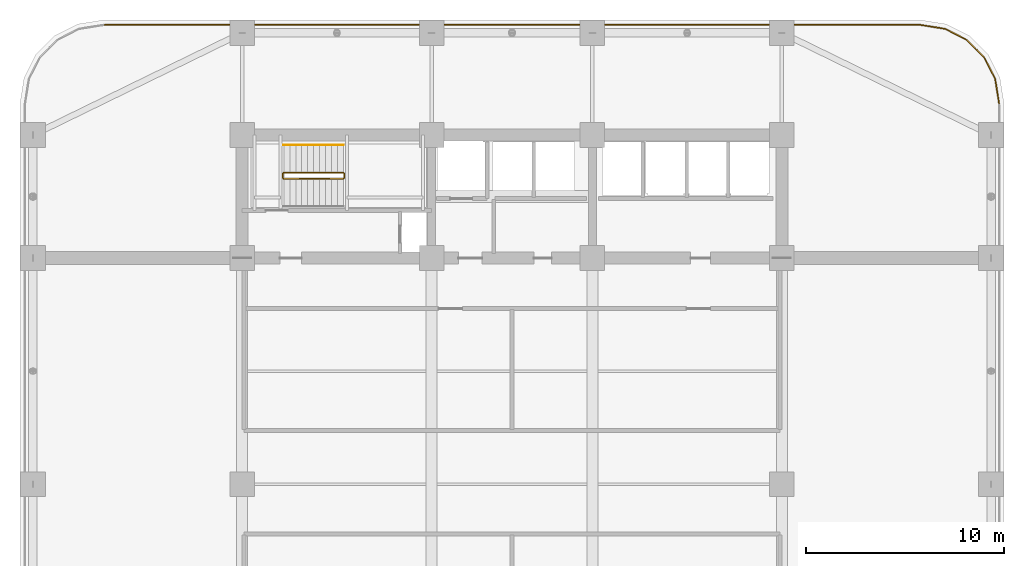
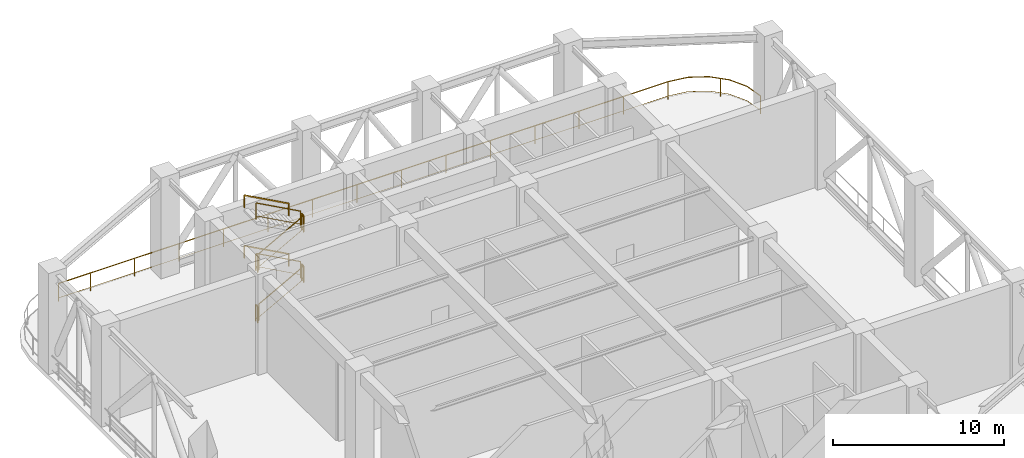
# One storey, part 20 of 20: 11 railings.
"""IFC4 building model written with IfcOpenShell, lengths in metres."""

import ifcopenshell
import ifcopenshell.guid

model = None  # the IFC model being written
_history = None  # IfcOwnerHistory: only IFC2X3 demands one
_inside = {}  # id of a spatial element -> (the spatial element, [elements in it])
_under = {}  # id of a project, library or spatial element -> (it, [spatial elements below it])
_declared = {}  # id of a project -> (the project, [libraries it declares])
_typed = {}  # id of a type object -> (the type object, [elements of that type])
_made_of = {}  # id of a material, layer set ... -> (it, [elements and type objects made of it])


def new_model(schema):
    """Start an empty IFC model of exactly this schema.

    Asked for "IFC4X3", IfcOpenShell would pick the latest addendum, in which some entities
    have other attributes; the version numbers below select the first issue.
    IFC2X3 requires an IfcOwnerHistory on every rooted entity: one is made here for all.
    """
    global model, _history
    if schema == "IFC4X3":
        model = ifcopenshell.file(schema_version=(4, 3, 0, 0))
    else:
        model = ifcopenshell.file(schema=schema)
    _inside.clear()
    _under.clear()
    _declared.clear()
    _typed.clear()
    _made_of.clear()
    _history = None
    if model.schema == "IFC2X3":
        org = make("IfcOrganization", Name="unknown")
        user = make(
            "IfcPersonAndOrganization",
            ThePerson=make("IfcPerson", FamilyName="unknown"),
            TheOrganization=org,
        )
        app = make(
            "IfcApplication",
            ApplicationDeveloper=org,
            Version="unknown",
            ApplicationFullName="unknown",
            ApplicationIdentifier="unknown",
        )
        _history = make(
            "IfcOwnerHistory",
            OwningUser=user,
            OwningApplication=app,
            ChangeAction="ADDED",
            CreationDate=0,
        )
    return model


def make(cls, **values):
    """One entity of the class cls with the attributes given. An attribute that is None is left unset."""
    return model.create_entity(
        cls, **{name: value for name, value in values.items() if value is not None}
    )


def rooted(cls, **values):
    """An entity with a GlobalId (a new one), such as an element, a storey or a relation."""
    return make(cls, GlobalId=ifcopenshell.guid.new(), OwnerHistory=_history, **values)


def si_unit(unit_type, name, prefix=None):
    """IfcSIUnit, for example si_unit("LENGTHUNIT", "METRE", prefix="MILLI")."""
    return make("IfcSIUnit", UnitType=unit_type, Prefix=prefix, Name=name)


def assignment(units):
    """IfcUnitAssignment: the units of a project."""
    return None if units is None else make("IfcUnitAssignment", Units=units)


def point(xyz):
    """IfcCartesianPoint."""
    return None if xyz is None else make("IfcCartesianPoint", Coordinates=xyz)


def direction(xyz):
    """IfcDirection."""
    return None if xyz is None else make("IfcDirection", DirectionRatios=xyz)


def frame(location, z_axis=None, x_axis=None):
    """IfcAxis2Placement3D, a coordinate frame: its origin and axes. An axis left out is left unset."""
    return make(
        "IfcAxis2Placement3D",
        Location=point(location),
        Axis=direction(z_axis),
        RefDirection=direction(x_axis),
    )


def frame_2d(location, x_axis=None):
    """IfcAxis2Placement2D, a coordinate frame in the plane: its origin and x axis."""
    return make(
        "IfcAxis2Placement2D", Location=point(location), RefDirection=direction(x_axis)
    )


def origin():
    """The frame at (0, 0, 0) with its axes left unset."""
    return frame((0.0, 0.0, 0.0))


def origin_2d():
    """The frame at (0, 0) in the plane with its x axis left unset."""
    return frame_2d((0.0, 0.0))


def place(relative_to, where):
    """IfcLocalPlacement: puts the frame where relative to a parent placement (None: the world)."""
    return make(
        "IfcLocalPlacement", PlacementRelTo=relative_to, RelativePlacement=where
    )


def context(
    kind, dimensions, precision=None, world=None, true_north=None, identifier=None
):
    """IfcGeometricRepresentationContext, for example the 3D "Model" context."""
    return make(
        "IfcGeometricRepresentationContext",
        ContextIdentifier=identifier,
        ContextType=kind,
        CoordinateSpaceDimension=dimensions,
        Precision=precision,
        WorldCoordinateSystem=world,
        TrueNorth=true_north,
    )


def subcontext(parent, identifier, kind, view, scale=None):
    """IfcGeometricRepresentationSubContext, for example "Body" below "Model"."""
    return make(
        "IfcGeometricRepresentationSubContext",
        ContextIdentifier=identifier,
        ContextType=kind,
        ParentContext=parent,
        TargetScale=scale,
        TargetView=view,
    )


def project(units=None, contexts=None):
    """IfcProject with its units and contexts."""
    return rooted(
        "IfcProject",
        Name="project",
        RepresentationContexts=contexts,
        UnitsInContext=assignment(units),
    )


def spatial(cls, under=None, at=None, **own):
    """A site, building, storey or space (cls), placed at a placement, below another one or the project."""
    s = rooted(cls, ObjectPlacement=at, **own)
    if under is not None:
        _under.setdefault(under.id(), (under, []))[1].append(s)
    return s


def profile(cls, at=None, kind="AREA", **sizes):
    """A parametric profile (cls). Its sizes go by their IFC names, for example OverallWidth=200.0."""
    return make(cls, ProfileType=kind, Position=at, **sizes)


def rectangle(**sizes):
    """IfcRectangleProfileDef."""
    return profile("IfcRectangleProfileDef", **sizes)


def extrude(swept, where, along, depth):
    """IfcExtrudedAreaSolid: the profile swept, set in the frame where, extruded along a direction by depth."""
    return make(
        "IfcExtrudedAreaSolid",
        SweptArea=swept,
        Position=where,
        ExtrudedDirection=direction(along),
        Depth=depth,
    )


def shape(context_of_items, identifier, shape_type, items):
    """IfcShapeRepresentation: the items that make up one representation, for example the "Body"."""
    return make(
        "IfcShapeRepresentation",
        ContextOfItems=context_of_items,
        RepresentationIdentifier=identifier,
        RepresentationType=shape_type,
        Items=items,
    )


def material(Name=None, Category=None):
    """IfcMaterial."""
    return make("IfcMaterial", Name=Name, Category=Category)


def made_of(thing, what):
    """Note that an element or type object is made of a material, layer set ...; save() writes the relation."""
    if what is not None:
        _made_of.setdefault(what.id(), (what, []))[1].append(thing)
    return thing


def type_object(cls, material=None, **own):
    """A type object (cls), such as IfcWallType, which elements share."""
    return made_of(rooted(cls, **own), material)


def element(
    cls,
    number,
    at=None,
    inside=None,
    cuts=None,
    type_object=None,
    material=None,
    context=None,
    identifier="Body",
    shape_type=None,
    held_by="IfcProductDefinitionShape",
    body=None,
    shapes=None,
    **own,
):
    """One element of the class cls, such as IfcWall. Its Tag is "e" and its number.

    at: its placement. inside: the storey or other place that contains it. cuts: it is an
    opening in that element (IfcRelVoidsElement). A single representation is given by context,
    identifier, shape_type and body (its items); several are given by shapes. held_by: the class
    of the entity that holds the representations. save() writes the other relations.
    """
    e = rooted(cls, Tag="e%d" % number, ObjectPlacement=at, **own)
    if body is not None:
        shapes = [shape(context, identifier, shape_type, body)]
    if shapes is not None:
        e.Representation = make(held_by, Representations=shapes)
    if inside is not None:
        _inside.setdefault(inside.id(), (inside, []))[1].append(e)
    if cuts is not None:
        rooted(
            "IfcRelVoidsElement", RelatingBuildingElement=cuts, RelatedOpeningElement=e
        )
    if type_object is not None:
        _typed.setdefault(type_object.id(), (type_object, []))[1].append(e)
    return made_of(e, material)


def aggregate(whole, parts):
    """IfcRelAggregates: a whole, such as a stair, and the parts it consists of."""
    return rooted("IfcRelAggregates", RelatingObject=whole, RelatedObjects=parts)


def save(model, path):
    """Write the relations noted so far, then the file.

    IfcRelAggregates (storeys below a building ...), IfcRelContainedInSpatialStructure (elements
    in a storey), IfcRelDefinesByType, IfcRelAssociatesMaterial and IfcRelDeclares: one each for
    every whole, place, type object, material and project.
    """
    for whole, parts in _under.values():
        aggregate(whole, parts)
    for where, things in _inside.values():
        rooted(
            "IfcRelContainedInSpatialStructure",
            RelatedElements=things,
            RelatingStructure=where,
        )
    for kind, things in _typed.values():
        rooted("IfcRelDefinesByType", RelatedObjects=things, RelatingType=kind)
    for what, things in _made_of.values():
        rooted("IfcRelAssociatesMaterial", RelatedObjects=things, RelatingMaterial=what)
    for by, libraries in _declared.values():
        rooted("IfcRelDeclares", RelatingContext=by, RelatedDefinitions=libraries)
    model.write(path)


model = new_model("IFC4")

# Units and contexts
model_context = context("Model", 3, precision=1e-05, world=origin(), true_north=direction((0.0, 1.0)))
body_context = subcontext(model_context, "Body", "Model", "MODEL_VIEW")
ifc_project = project(units=[si_unit("LENGTHUNIT", "METRE"), si_unit("AREAUNIT", "SQUARE_METRE"), si_unit("VOLUMEUNIT", "CUBIC_METRE"), si_unit("PLANEANGLEUNIT", "RADIAN"), si_unit("MASSUNIT", "GRAM", prefix="KILO")], contexts=[model_context])

# Site, building, storey
site_placement = place(None, origin())
site = spatial("IfcSite", under=ifc_project, at=site_placement, CompositionType="ELEMENT")
building_placement = place(site_placement, origin())
building = spatial("IfcBuilding", under=site, at=building_placement, Name="Svetorya Sky Lyceum", CompositionType="ELEMENT")
storey_placement = place(building_placement, frame((0.0, 0.0, 76.89990234375)))
storey = spatial("IfcBuildingStorey", under=building, at=storey_placement, Name="L19", CompositionType="ELEMENT", Elevation=76.89990234375)

# Railings
ifc_material_1 = material(Name="Hot-dip galvanized wind-portal guard")
railing_type_1 = type_object("IfcRailingType", Name="RL-PRT-1300", PredefinedType="GUARDRAIL", material=ifc_material_1)
railing_1_placement = place(storey_placement, frame((63.75, 47.39990234375, 0.0)))
element("IfcRailing", 1, at=railing_1_placement, inside=storey, type_object=railing_type_1, Name="L19 Wind-Portal Deck Guard Quadrant 3", PredefinedType="GUARDRAIL", context=body_context, shape_type="SweptSolid", body=[
    extrude(rectangle(XDim=0.048095703125, YDim=0.048095703125, at=origin_2d()), frame((0.0, 0.0, 1.27587890625), z_axis=(-0.156449457012, 0.987685965983, 0.0), x_axis=(-0.987685965983, -0.156449457012, 0.0)), (0.0, 0.0, 1.0), 1.23583984375),
    extrude(rectangle(XDim=0.02392578125, YDim=0.02392578125, at=origin_2d()), frame((0.0, 0.0, 0.25), z_axis=(-0.156449457012, 0.987685965983, 0.0), x_axis=(-0.987685965983, -0.156449457012, 0.0)), (0.0, 0.0, 1.0), 1.23583984375),
    extrude(rectangle(XDim=0.048095703125, YDim=0.048095703125, at=origin_2d()), frame((-0.193359375, 1.220703125, 1.27587890625), z_axis=(-0.453996808381, 0.891003309747, 0.0), x_axis=(-0.891003309747, -0.453996808381, 0.0)), (0.0, 0.0, 1.0), 1.23583984375),
    extrude(rectangle(XDim=0.02392578125, YDim=0.02392578125, at=origin_2d()), frame((-0.193359375, 1.220703125, 0.25), z_axis=(-0.453996808381, 0.891003309747, 0.0), x_axis=(-0.891003309747, -0.453996808381, 0.0)), (0.0, 0.0, 1.0), 1.23583984375),
    extrude(rectangle(XDim=0.048095703125, YDim=0.048095703125, at=origin_2d()), frame((-0.75439453125, 2.32177734375, 1.27587890625), z_axis=(-0.707008002564, 0.707205546012, 0.0), x_axis=(-0.707205546012, -0.707008002564, 0.0)), (0.0, 0.0, 1.0), 1.23583984375),
    extrude(rectangle(XDim=0.02392578125, YDim=0.02392578125, at=origin_2d()), frame((-0.75439453125, 2.32177734375, 0.25), z_axis=(-0.707008002564, 0.707205546012, 0.0), x_axis=(-0.707205546012, -0.707008002564, 0.0)), (0.0, 0.0, 1.0), 1.23583984375),
    extrude(rectangle(XDim=0.048095703125, YDim=0.048095703125, at=origin_2d()), frame((-1.628173828125, 3.19580078125, 1.27587890625), z_axis=(-0.891044019054, 0.453916904408, 0.0), x_axis=(-0.453916904408, -0.891044019054, 0.0)), (0.0, 0.0, 1.0), 1.236083984375),
    extrude(rectangle(XDim=0.02392578125, YDim=0.02392578125, at=origin_2d()), frame((-1.628173828125, 3.19580078125, 0.25), z_axis=(-0.891044019054, 0.453916904408, 0.0), x_axis=(-0.453916904408, -0.891044019054, 0.0)), (0.0, 0.0, 1.0), 1.236083984375),
    extrude(rectangle(XDim=0.048095703125, YDim=0.048095703125, at=origin_2d()), frame((-2.7294921875, 3.7568359375, 1.27587890625), z_axis=(-0.987681129562, 0.15647998692, 0.0), x_axis=(-0.15647998692, -0.987681129562, 0.0)), (0.0, 0.0, 1.0), 1.235595703125),
    extrude(rectangle(XDim=0.02392578125, YDim=0.02392578125, at=origin_2d()), frame((-2.7294921875, 3.7568359375, 0.25), z_axis=(-0.987681129562, 0.15647998692, 0.0), x_axis=(-0.15647998692, -0.987681129562, 0.0)), (0.0, 0.0, 1.0), 1.235595703125),
    extrude(rectangle(XDim=0.048095703125, YDim=0.048095703125, at=origin_2d()), frame((-3.949951171875, 3.9501953125, 1.27587890625), z_axis=(-1.0, 0.0, 0.0), x_axis=(0.0, -1.0, 0.0)), (0.0, 0.0, 1.0), 41.14013671875),
    extrude(rectangle(XDim=0.02392578125, YDim=0.02392578125, at=origin_2d()), frame((-3.949951171875, 3.9501953125, 0.25), z_axis=(-1.0, 0.0, 0.0), x_axis=(0.0, -1.0, 0.0)), (0.0, 0.0, 1.0), 41.14013671875),
    extrude(rectangle(XDim=0.0419921875, YDim=0.0419921875, at=origin_2d()), origin(), (0.0, 0.0, 1.0), 1.251953125),
    extrude(rectangle(XDim=0.0419921875, YDim=0.0419921875, at=origin_2d()), frame((-1.1279296875, 2.6953125, 0.0)), (0.0, 0.0, 1.0), 1.251953125),
    extrude(rectangle(XDim=0.0419921875, YDim=0.0419921875, at=origin_2d()), frame((-3.949951171875, 3.9501953125, 0.0)), (0.0, 0.0, 1.0), 1.251953125),
    extrude(rectangle(XDim=0.0419921875, YDim=0.0419921875, at=origin_2d()), frame((-6.949951171875, 3.9501953125, 0.0)), (0.0, 0.0, 1.0), 1.251953125),
    extrude(rectangle(XDim=0.0419921875, YDim=0.0419921875, at=origin_2d()), frame((-9.949951171875, 3.9501953125, 0.0)), (0.0, 0.0, 1.0), 1.251953125),
    extrude(rectangle(XDim=0.0419921875, YDim=0.0419921875, at=origin_2d()), frame((-12.949951171875, 3.9501953125, 0.0)), (0.0, 0.0, 1.0), 1.251953125),
    extrude(rectangle(XDim=0.0419921875, YDim=0.0419921875, at=origin_2d()), frame((-15.949951171875, 3.9501953125, 0.0)), (0.0, 0.0, 1.0), 1.251953125),
    extrude(rectangle(XDim=0.0419921875, YDim=0.0419921875, at=origin_2d()), frame((-18.949951171875, 3.9501953125, 0.0)), (0.0, 0.0, 1.0), 1.251953125),
    extrude(rectangle(XDim=0.0419921875, YDim=0.0419921875, at=origin_2d()), frame((-21.949951171875, 3.9501953125, 0.0)), (0.0, 0.0, 1.0), 1.251953125),
    extrude(rectangle(XDim=0.0419921875, YDim=0.0419921875, at=origin_2d()), frame((-24.949951171875, 3.9501953125, 0.0)), (0.0, 0.0, 1.0), 1.251953125),
    extrude(rectangle(XDim=0.0419921875, YDim=0.0419921875, at=origin_2d()), frame((-27.949951171875, 3.9501953125, 0.0)), (0.0, 0.0, 1.0), 1.251953125),
    extrude(rectangle(XDim=0.0419921875, YDim=0.0419921875, at=origin_2d()), frame((-30.949951171875, 3.9501953125, 0.0)), (0.0, 0.0, 1.0), 1.251953125),
    extrude(rectangle(XDim=0.0419921875, YDim=0.0419921875, at=origin_2d()), frame((-33.949951171875, 3.9501953125, 0.0)), (0.0, 0.0, 1.0), 1.251953125),
    extrude(rectangle(XDim=0.0419921875, YDim=0.0419921875, at=origin_2d()), frame((-36.949951171875, 3.9501953125, 0.0)), (0.0, 0.0, 1.0), 1.251953125),
    extrude(rectangle(XDim=0.0419921875, YDim=0.0419921875, at=origin_2d()), frame((-39.949951171875, 3.9501953125, 0.0)), (0.0, 0.0, 1.0), 1.251953125),
    extrude(rectangle(XDim=0.0419921875, YDim=0.0419921875, at=origin_2d()), frame((-42.949951171875, 3.9501953125, 0.0)), (0.0, 0.0, 1.0), 1.251953125),
    extrude(rectangle(XDim=0.0419921875, YDim=0.0419921875, at=origin_2d()), frame((-45.090087890625, 3.9501953125, 0.0)), (0.0, 0.0, 1.0), 1.251953125),
])
ifc_material_2 = material(Name="Painted galvanized stair well guard")
railing_type_2 = type_object("IfcRailingType", Name="RL-STR-GUARD-1200", PredefinedType="GUARDRAIL", material=ifc_material_2)
railing_2_placement = place(storey_placement, frame((27.699951171875, 43.60009765625, 0.163818359375)))
element("IfcRailing", 2, at=railing_2_placement, inside=storey, type_object=railing_type_2, Name="L19 ST-N stair guard 1", PredefinedType="GUARDRAIL", context=body_context, shape_type="SweptSolid", body=[
    extrude(rectangle(XDim=0.048095703125, YDim=0.048095703125, at=origin_2d()), frame((0.0, 0.0, 1.17578125), z_axis=(0.877911954615, 0.0, 0.47882209634), x_axis=(0.0, 1.0, 0.0)), (0.0, 0.0, 1.0), 3.417236328125),
    extrude(rectangle(XDim=0.02392578125, YDim=0.02392578125, at=origin_2d()), frame((0.0, 0.0, 0.25), z_axis=(0.877911954615, 0.0, 0.47882209634), x_axis=(0.0, 1.0, 0.0)), (0.0, 0.0, 1.0), 3.417236328125),
    extrude(rectangle(XDim=0.0419921875, YDim=0.0419921875, at=origin_2d()), origin(), (0.0, 0.0, 1.0), 1.15185546875),
    extrude(rectangle(XDim=0.0419921875, YDim=0.0419921875, at=origin_2d()), frame((3.0, 0.0, 1.63623046875)), (0.0, 0.0, 1.0), 1.15185546875),
])
railing_3_placement = place(storey_placement, frame((30.75, 43.64990234375, 1.800048828125)))
element("IfcRailing", 3, at=railing_3_placement, inside=storey, type_object=railing_type_2, Name="L19 ST-N stair guard 2", PredefinedType="GUARDRAIL", context=body_context, shape_type="SweptSolid", body=[
    extrude(rectangle(XDim=0.048095703125, YDim=0.048095703125, at=origin_2d()), frame((0.0, 0.0, 1.17578125), z_axis=(0.0, 1.0, 0.0), x_axis=(-1.0, 0.0, 0.0)), (0.0, 0.0, 1.0), 0.2001953125),
    extrude(rectangle(XDim=0.02392578125, YDim=0.02392578125, at=origin_2d()), frame((0.0, 0.0, 0.25), z_axis=(0.0, 1.0, 0.0), x_axis=(-1.0, 0.0, 0.0)), (0.0, 0.0, 1.0), 0.2001953125),
    extrude(rectangle(XDim=0.0419921875, YDim=0.0419921875, at=origin_2d()), origin(), (0.0, 0.0, 1.0), 1.15185546875),
    extrude(rectangle(XDim=0.0419921875, YDim=0.0419921875, at=origin_2d()), frame((0.0, 0.2001953125, 0.0)), (0.0, 0.0, 1.0), 1.15185546875),
])
railing_4_placement = place(storey_placement, frame((30.699951171875, 43.89990234375, 1.963623046875)))
element("IfcRailing", 4, at=railing_4_placement, inside=storey, type_object=railing_type_2, Name="L19 ST-N stair guard 3", PredefinedType="GUARDRAIL", context=body_context, shape_type="SweptSolid", body=[
    extrude(rectangle(XDim=0.048095703125, YDim=0.048095703125, at=origin_2d()), frame((0.0, 0.0, 1.17578125), z_axis=(-0.877881921179, 0.0, 0.478877158013), x_axis=(0.0, -1.0, 0.0)), (0.0, 0.0, 1.0), 3.417236328125),
    extrude(rectangle(XDim=0.02392578125, YDim=0.02392578125, at=origin_2d()), frame((0.0, 0.0, 0.25), z_axis=(-0.877881921179, 0.0, 0.478877158013), x_axis=(0.0, -1.0, 0.0)), (0.0, 0.0, 1.0), 3.417236328125),
    extrude(rectangle(XDim=0.0419921875, YDim=0.0419921875, at=origin_2d()), origin(), (0.0, 0.0, 1.0), 1.15185546875),
    extrude(rectangle(XDim=0.0419921875, YDim=0.0419921875, at=origin_2d()), frame((-3.0, 0.0, 1.636474609375)), (0.0, 0.0, 1.0), 1.15185546875),
])
railing_5_placement = place(storey_placement, frame((27.64990234375, 43.64990234375, 3.60009765625)))
element("IfcRailing", 5, at=railing_5_placement, inside=storey, type_object=railing_type_2, Name="L19 ST-N stair guard 4", PredefinedType="GUARDRAIL", context=body_context, shape_type="SweptSolid", body=[
    extrude(rectangle(XDim=0.048095703125, YDim=0.048095703125, at=origin_2d()), frame((0.0, 0.0, 1.17578125), z_axis=(0.0, 1.0, 0.0), x_axis=(-1.0, 0.0, 0.0)), (0.0, 0.0, 1.0), 0.2001953125),
    extrude(rectangle(XDim=0.02392578125, YDim=0.02392578125, at=origin_2d()), frame((0.0, 0.0, 0.25), z_axis=(0.0, 1.0, 0.0), x_axis=(-1.0, 0.0, 0.0)), (0.0, 0.0, 1.0), 0.2001953125),
    extrude(rectangle(XDim=0.0419921875, YDim=0.0419921875, at=origin_2d()), origin(), (0.0, 0.0, 1.0), 1.15185546875),
    extrude(rectangle(XDim=0.0419921875, YDim=0.0419921875, at=origin_2d()), frame((0.0, 0.2001953125, 0.0)), (0.0, 0.0, 1.0), 1.15185546875),
])
railing_6_placement = place(storey_placement, frame((27.699951171875, 43.60009765625, 3.763671875)))
element("IfcRailing", 6, at=railing_6_placement, inside=storey, type_object=railing_type_2, Name="L19 ST-N stair guard 5", PredefinedType="GUARDRAIL", context=body_context, shape_type="SweptSolid", body=[
    extrude(rectangle(XDim=0.048095703125, YDim=0.048095703125, at=origin_2d()), frame((0.0, 0.0, 1.17578125), z_axis=(0.877881921179, 0.0, 0.478877158013), x_axis=(0.0, 1.0, 0.0)), (0.0, 0.0, 1.0), 3.417236328125),
    extrude(rectangle(XDim=0.02392578125, YDim=0.02392578125, at=origin_2d()), frame((0.0, 0.0, 0.25), z_axis=(0.877881921179, 0.0, 0.478877158013), x_axis=(0.0, 1.0, 0.0)), (0.0, 0.0, 1.0), 3.417236328125),
    extrude(rectangle(XDim=0.0419921875, YDim=0.0419921875, at=origin_2d()), origin(), (0.0, 0.0, 1.0), 1.15185546875),
    extrude(rectangle(XDim=0.0419921875, YDim=0.0419921875, at=origin_2d()), frame((3.0, 0.0, 1.636474609375)), (0.0, 0.0, 1.0), 1.15185546875),
])
railing_7_placement = place(storey_placement, frame((30.75, 43.64990234375, 5.400146484375)))
element("IfcRailing", 7, at=railing_7_placement, inside=storey, type_object=railing_type_2, Name="L19 ST-N stair guard 6", PredefinedType="GUARDRAIL", context=body_context, shape_type="SweptSolid", body=[
    extrude(rectangle(XDim=0.048095703125, YDim=0.048095703125, at=origin_2d()), frame((0.0, 0.0, 1.17578125), z_axis=(0.0, 1.0, 0.0), x_axis=(-1.0, 0.0, 0.0)), (0.0, 0.0, 1.0), 0.2001953125),
    extrude(rectangle(XDim=0.02392578125, YDim=0.02392578125, at=origin_2d()), frame((0.0, 0.0, 0.25), z_axis=(0.0, 1.0, 0.0), x_axis=(-1.0, 0.0, 0.0)), (0.0, 0.0, 1.0), 0.2001953125),
    extrude(rectangle(XDim=0.0419921875, YDim=0.0419921875, at=origin_2d()), origin(), (0.0, 0.0, 1.0), 1.15185546875),
    extrude(rectangle(XDim=0.0419921875, YDim=0.0419921875, at=origin_2d()), frame((0.0, 0.2001953125, 0.0)), (0.0, 0.0, 1.0), 1.15185546875),
])
railing_8_placement = place(storey_placement, frame((30.699951171875, 43.89990234375, 5.563720703125)))
element("IfcRailing", 8, at=railing_8_placement, inside=storey, type_object=railing_type_2, Name="L19 ST-N stair guard 7", PredefinedType="GUARDRAIL", context=body_context, shape_type="SweptSolid", body=[
    extrude(rectangle(XDim=0.048095703125, YDim=0.048095703125, at=origin_2d()), frame((0.0, 0.0, 1.17578125), z_axis=(-0.877881921179, 0.0, 0.478877158013), x_axis=(0.0, -1.0, 0.0)), (0.0, 0.0, 1.0), 3.417236328125),
    extrude(rectangle(XDim=0.02392578125, YDim=0.02392578125, at=origin_2d()), frame((0.0, 0.0, 0.25), z_axis=(-0.877881921179, 0.0, 0.478877158013), x_axis=(0.0, -1.0, 0.0)), (0.0, 0.0, 1.0), 3.417236328125),
    extrude(rectangle(XDim=0.0419921875, YDim=0.0419921875, at=origin_2d()), origin(), (0.0, 0.0, 1.0), 1.15185546875),
    extrude(rectangle(XDim=0.0419921875, YDim=0.0419921875, at=origin_2d()), frame((-3.0, 0.0, 1.636474609375)), (0.0, 0.0, 1.0), 1.15185546875),
])
railing_9_placement = place(storey_placement, frame((27.64990234375, 43.64990234375, 0.0)))
element("IfcRailing", 9, at=railing_9_placement, inside=storey, type_object=railing_type_2, Name="L19 ST-N stair guard 8", PredefinedType="GUARDRAIL", context=body_context, shape_type="SweptSolid", body=[
    extrude(rectangle(XDim=0.048095703125, YDim=0.048095703125, at=origin_2d()), frame((0.0, 0.0, 1.17578125), z_axis=(0.0, 1.0, 0.0), x_axis=(-1.0, 0.0, 0.0)), (0.0, 0.0, 1.0), 0.2001953125),
    extrude(rectangle(XDim=0.02392578125, YDim=0.02392578125, at=origin_2d()), frame((0.0, 0.0, 0.25), z_axis=(0.0, 1.0, 0.0), x_axis=(-1.0, 0.0, 0.0)), (0.0, 0.0, 1.0), 0.2001953125),
    extrude(rectangle(XDim=0.0419921875, YDim=0.0419921875, at=origin_2d()), origin(), (0.0, 0.0, 1.0), 1.15185546875),
    extrude(rectangle(XDim=0.0419921875, YDim=0.0419921875, at=origin_2d()), frame((0.0, 0.2001953125, 0.0)), (0.0, 0.0, 1.0), 1.15185546875),
])
ifc_material_3 = material(Name="Brushed stainless AISI 304 stair handrail")
railing_type_3 = type_object("IfcRailingType", Name="RL-STR-HAND-920", PredefinedType="HANDRAIL", material=ifc_material_3)
for number, where, name in (
    (10, (30.699951171875, 45.300048828125, 1.963623046875), "L19 ST-N stair handrail 2"),
    (11, (30.699951171875, 45.300048828125, 5.563720703125), "L19 ST-N stair handrail 4"),
):
    element("IfcRailing", number, at=place(storey_placement, frame(where)), inside=storey, type_object=railing_type_3, Name=name, PredefinedType="HANDRAIL", context=body_context, shape_type="SweptSolid", body=[
        extrude(rectangle(XDim=0.048095703125, YDim=0.048095703125, at=origin_2d()), frame((0.0, 0.0, 0.8759765625), z_axis=(-0.877881921179, 0.0, 0.478877158013), x_axis=(0.0, -1.0, 0.0)), (0.0, 0.0, 1.0), 3.417236328125),
        extrude(rectangle(XDim=0.0419921875, YDim=0.0419921875, at=origin_2d()), origin(), (0.0, 0.0, 1.0), 0.851806640625),
        extrude(rectangle(XDim=0.0419921875, YDim=0.0419921875, at=origin_2d()), frame((-3.0, 0.0, 1.636474609375)), (0.0, 0.0, 1.0), 0.851806640625),
    ])

save(model, "model.ifc")
